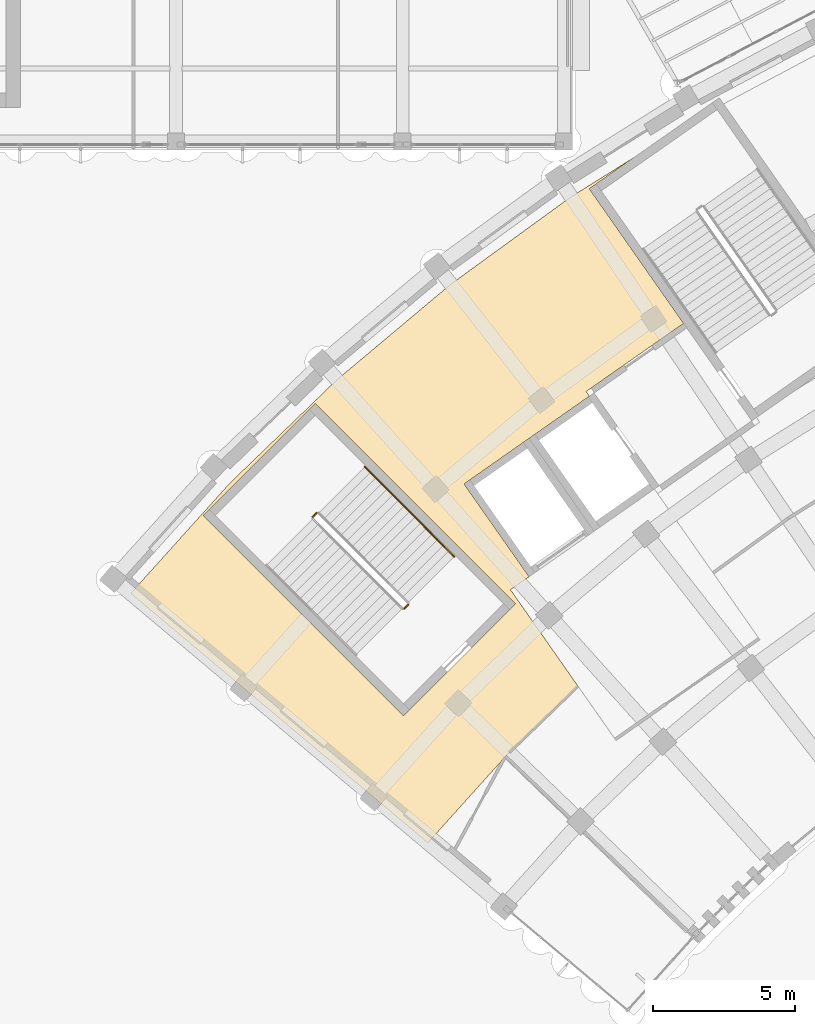
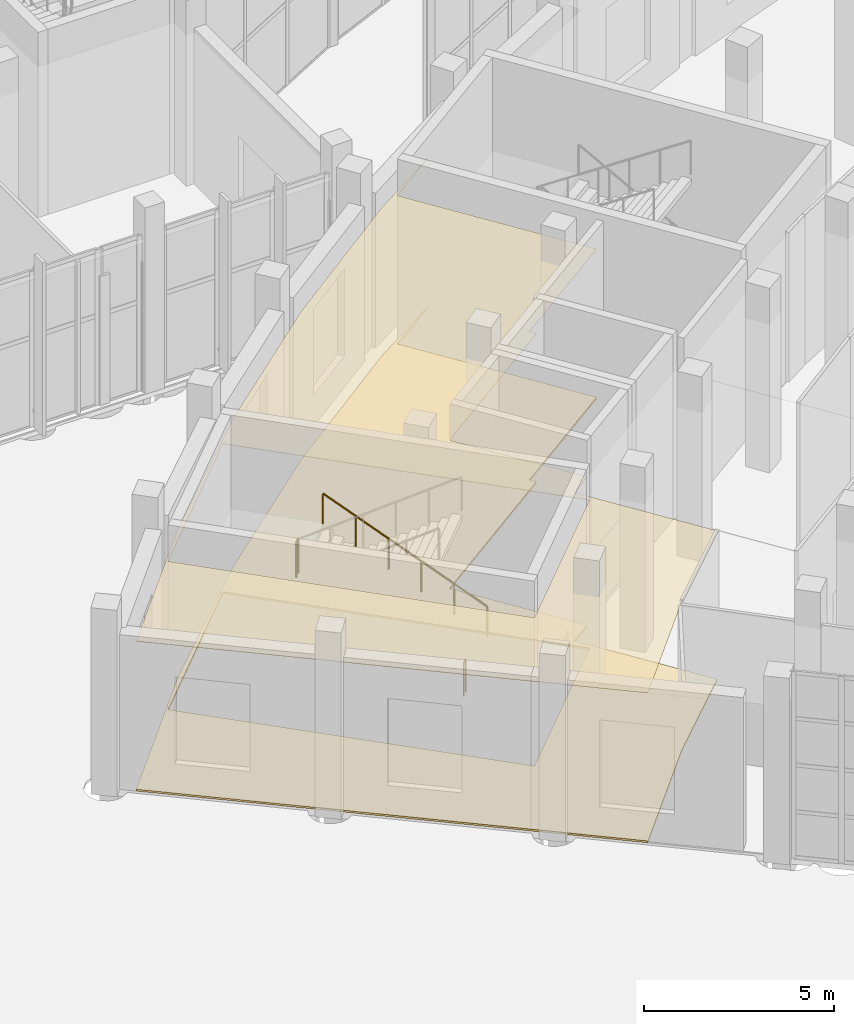
# One storey, part 118 of 155: 3 railings, 2 coverings.
"""IFC4 building model written with IfcOpenShell, lengths in metres."""

from ifc_helpers import new_model, si_unit, direction, frame, origin, origin_2d, place, context, subcontext, project, spatial, polyline, circle, outline, extrude, material, layer, layer_set, type_object, element, save


model = new_model("IFC4")

# Units and contexts
model_context = context("Model", 3, precision=1e-05, world=origin(), true_north=direction((0.0, 1.0)))
body_context = subcontext(model_context, "Body", "Model", "MODEL_VIEW")
ifc_project = project(units=[si_unit("LENGTHUNIT", "METRE"), si_unit("AREAUNIT", "SQUARE_METRE"), si_unit("VOLUMEUNIT", "CUBIC_METRE"), si_unit("PLANEANGLEUNIT", "RADIAN"), si_unit("MASSUNIT", "GRAM", prefix="KILO")], contexts=[model_context])

# Site, building, storey
site_placement = place(None, origin())
site = spatial("IfcSite", under=ifc_project, at=site_placement, CompositionType="ELEMENT")
building_placement = place(site_placement, origin())
building = spatial("IfcBuilding", under=site, at=building_placement, Name="Lunette Opera House", CompositionType="ELEMENT")
storey_placement = place(building_placement, origin())
storey = spatial("IfcBuildingStorey", under=building, at=storey_placement, Name="L00", CompositionType="ELEMENT", Elevation=0.0)

# Railings
ifc_material_1 = material(Name="Steel S355", Category="steel")
railing_type_1 = type_object("IfcRailingType", Name="STAIR GUARD 1100", PredefinedType="GUARDRAIL", material=ifc_material_1)
for number, where, name in (
    (1, (44.96142578125, 51.18017578125, 3.0), "L00 ST1 stair guard 2"),
    (2, (48.199951171875, 47.941650390625, 0.0), "L00 ST1 stair guard 4"),
):
    element("IfcRailing", number, at=place(storey_placement, frame(where)), inside=storey, type_object=railing_type_1, Name=name, PredefinedType="GUARDRAIL", context=body_context, shape_type="SweptSolid", body=[
        extrude(circle(Radius=0.02392578125, at=origin_2d()), frame((0.0, 0.0, 1.076171875), z_axis=(-0.707106781187, -0.707106781187, 0.0), x_axis=(0.707106781187, -0.707106781187, 0.0)), (0.0, 0.0, 1.0), 0.2001953125),
        extrude(circle(Radius=0.02099609375, at=origin_2d()), origin(), (0.0, 0.0, 1.0), 1.052001953125),
        extrude(circle(Radius=0.02099609375, at=origin_2d()), frame((-0.1416015625, -0.1416015625, 0.0)), (0.0, 0.0, 1.0), 1.052001953125),
    ])
ifc_material_2 = material(Name="Steel S355", Category="steel")
railing_type_2 = type_object("IfcRailingType", Name="STAIR HANDRAIL 1000", PredefinedType="HANDRAIL", material=ifc_material_2)
railing_placement = place(storey_placement, frame((49.826416015625, 49.638671875, 0.176513671875)))
element("IfcRailing", 3, at=railing_placement, inside=storey, type_object=railing_type_2, Name="L00 ST1 stair handrail 1", PredefinedType="HANDRAIL", context=body_context, shape_type="SweptSolid", body=[
    extrude(circle(Radius=0.02392578125, at=origin_2d()), frame((0.0, 0.0, 0.97607421875), z_axis=(-0.598218619036, 0.598218619036, 0.533168798485), x_axis=(-0.707106781187, -0.707106781187, 0.0)), (0.0, 0.0, 1.0), 5.295654296875),
    extrude(circle(Radius=0.02099609375, at=origin_2d()), origin(), (0.0, 0.0, 1.0), 0.951904296875),
    extrude(circle(Radius=0.02099609375, at=origin_2d()), frame((-0.633544921875, 0.633544921875, 0.564697265625)), (0.0, 0.0, 1.0), 0.951904296875),
    extrude(circle(Radius=0.02099609375, at=origin_2d()), frame((-1.26708984375, 1.26708984375, 1.12939453125)), (0.0, 0.0, 1.0), 0.951904296875),
    extrude(circle(Radius=0.02099609375, at=origin_2d()), frame((-1.90087890625, 1.90087890625, 1.694091796875)), (0.0, 0.0, 1.0), 0.951904296875),
    extrude(circle(Radius=0.02099609375, at=origin_2d()), frame((-2.534423828125, 2.534423828125, 2.2587890625)), (0.0, 0.0, 1.0), 0.951904296875),
    extrude(circle(Radius=0.02099609375, at=origin_2d()), frame((-3.16796875, 3.16796875, 2.823486328125)), (0.0, 0.0, 1.0), 0.951904296875),
])

# Coverings
ifc_material_3 = material(Name="Mineral fibre board")
ifc_layer_1 = layer(ifc_material_3, 0.014892578125)
ifc_layer_set_1 = layer_set([ifc_layer_1], Name="Mineral fibre board")
covering_type_1 = type_object("IfcCoveringType", Name="SUSPENDED ACOUSTIC CEILING 15", PredefinedType="CEILING", material=ifc_layer_set_1)
covering_1_placement = place(storey_placement, frame((0.0, 0.0, 4.81494140625)))
element("IfcCovering", 4, at=covering_1_placement, inside=storey, type_object=covering_type_1, Name="Ceiling Main Foyer Rear", PredefinedType="CEILING", context=body_context, shape_type="SweptSolid", body=[
    extrude(outline(polyline([(51.80810546875, 48.468017578125), (54.18896484375, 45.06689453125), (51.760986328125, 42.720947265625), (51.637939453125, 42.5849609375), (48.887939453125, 39.531005859375), (46.972900390625, 41.137939453125), (38.39404296875, 48.337890625), (41.906005859375, 52.238037109375), (45.680908203125, 55.884033203125), (49.701904296875, 59.258056640625), (53.948974609375, 62.343994140625), (56.18603515625, 63.741943359375), (54.591064453125, 62.625), (57.91796875, 57.8740234375), (54.47705078125, 55.464111328125), (54.592041015625, 55.300048828125), (52.462890625, 53.80908203125), (50.1689453125, 52.202880859375), (52.462890625, 48.927001953125), (51.80810546875, 48.468017578125)]), holes=[polyline([(48.02294921875, 44.01708984375), (51.98291015625, 47.97705078125), (44.912109375, 55.048095703125), (40.951904296875, 51.087890625), (48.02294921875, 44.01708984375)])]), origin(), (0.0, 0.0, 1.0), 0.01513671875),
])
ifc_material_4 = material(Name="Terrazzo")
ifc_layer_2 = layer(ifc_material_4, 0.06005859375)
ifc_layer_set_2 = layer_set([ifc_layer_2], Name="Terrazzo")
covering_type_2 = type_object("IfcCoveringType", Name="TERRAZZO FLOOR FINISH 60", PredefinedType="FLOORING", material=ifc_layer_set_2)
covering_2_placement = place(storey_placement, origin())
element("IfcCovering", 5, at=covering_2_placement, inside=storey, type_object=covering_type_2, Name="Floor finish Main Foyer Rear", PredefinedType="FLOORING", context=body_context, shape_type="SweptSolid", body=[
    extrude(outline(polyline([(51.80810546875, 48.468017578125), (54.18896484375, 45.06689453125), (51.760986328125, 42.720947265625), (51.637939453125, 42.5849609375), (48.887939453125, 39.531005859375), (46.972900390625, 41.137939453125), (38.39404296875, 48.337890625), (41.906005859375, 52.238037109375), (45.680908203125, 55.884033203125), (49.701904296875, 59.258056640625), (53.948974609375, 62.343994140625), (56.18603515625, 63.741943359375), (54.591064453125, 62.625), (57.91796875, 57.8740234375), (54.47705078125, 55.464111328125), (54.592041015625, 55.300048828125), (52.462890625, 53.80908203125), (50.1689453125, 52.202880859375), (52.462890625, 48.927001953125), (51.80810546875, 48.468017578125)]), holes=[polyline([(48.02294921875, 44.01708984375), (51.98291015625, 47.97705078125), (44.912109375, 55.048095703125), (40.951904296875, 51.087890625), (48.02294921875, 44.01708984375)])]), origin(), (0.0, 0.0, 1.0), 0.06005859375),
])

save(model, "model.ifc")
